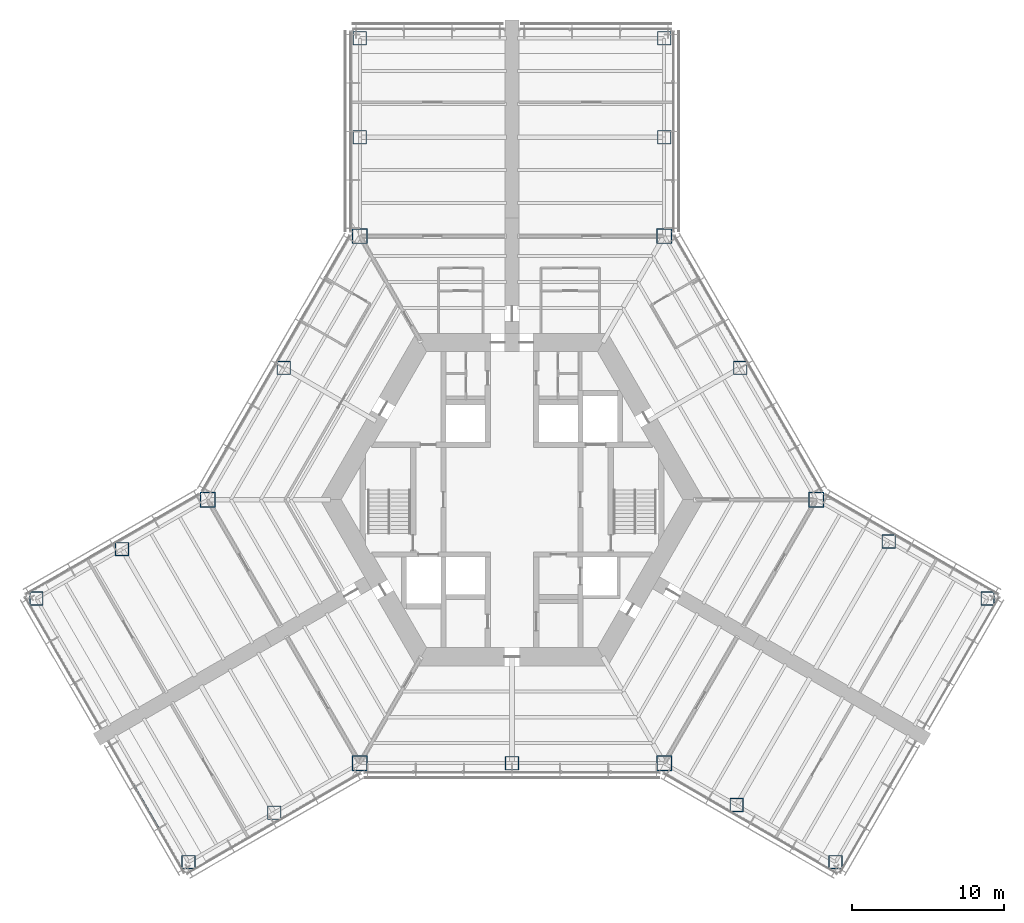
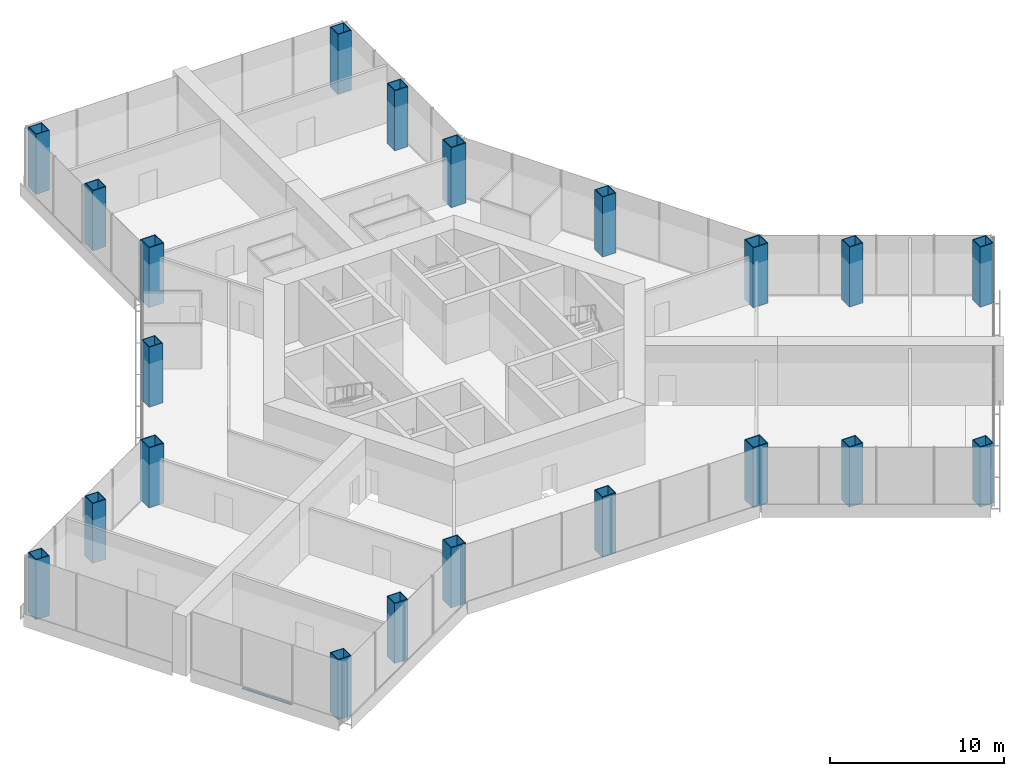
# One storey, part 1 of 16: 21 columns, 1 member, 1 element without a shape of its own.
"""IFC4 building model written with IfcOpenShell, lengths in metres."""

import ifcopenshell
import ifcopenshell.guid

model = None  # the IFC model being written
_history = None  # IfcOwnerHistory: only IFC2X3 demands one
_inside = {}  # id of a spatial element -> (the spatial element, [elements in it])
_under = {}  # id of a project, library or spatial element -> (it, [spatial elements below it])
_declared = {}  # id of a project -> (the project, [libraries it declares])
_typed = {}  # id of a type object -> (the type object, [elements of that type])
_made_of = {}  # id of a material, layer set ... -> (it, [elements and type objects made of it])


def new_model(schema):
    """Start an empty IFC model of exactly this schema.

    Asked for "IFC4X3", IfcOpenShell would pick the latest addendum, in which some entities
    have other attributes; the version numbers below select the first issue.
    IFC2X3 requires an IfcOwnerHistory on every rooted entity: one is made here for all.
    """
    global model, _history
    if schema == "IFC4X3":
        model = ifcopenshell.file(schema_version=(4, 3, 0, 0))
    else:
        model = ifcopenshell.file(schema=schema)
    _inside.clear()
    _under.clear()
    _declared.clear()
    _typed.clear()
    _made_of.clear()
    _history = None
    if model.schema == "IFC2X3":
        org = make("IfcOrganization", Name="unknown")
        user = make(
            "IfcPersonAndOrganization",
            ThePerson=make("IfcPerson", FamilyName="unknown"),
            TheOrganization=org,
        )
        app = make(
            "IfcApplication",
            ApplicationDeveloper=org,
            Version="unknown",
            ApplicationFullName="unknown",
            ApplicationIdentifier="unknown",
        )
        _history = make(
            "IfcOwnerHistory",
            OwningUser=user,
            OwningApplication=app,
            ChangeAction="ADDED",
            CreationDate=0,
        )
    return model


def make(cls, **values):
    """One entity of the class cls with the attributes given. An attribute that is None is left unset."""
    return model.create_entity(
        cls, **{name: value for name, value in values.items() if value is not None}
    )


def rooted(cls, **values):
    """An entity with a GlobalId (a new one), such as an element, a storey or a relation."""
    return make(cls, GlobalId=ifcopenshell.guid.new(), OwnerHistory=_history, **values)


def si_unit(unit_type, name, prefix=None):
    """IfcSIUnit, for example si_unit("LENGTHUNIT", "METRE", prefix="MILLI")."""
    return make("IfcSIUnit", UnitType=unit_type, Prefix=prefix, Name=name)


def assignment(units):
    """IfcUnitAssignment: the units of a project."""
    return None if units is None else make("IfcUnitAssignment", Units=units)


def point(xyz):
    """IfcCartesianPoint."""
    return None if xyz is None else make("IfcCartesianPoint", Coordinates=xyz)


def direction(xyz):
    """IfcDirection."""
    return None if xyz is None else make("IfcDirection", DirectionRatios=xyz)


def frame(location, z_axis=None, x_axis=None):
    """IfcAxis2Placement3D, a coordinate frame: its origin and axes. An axis left out is left unset."""
    return make(
        "IfcAxis2Placement3D",
        Location=point(location),
        Axis=direction(z_axis),
        RefDirection=direction(x_axis),
    )


def frame_2d(location, x_axis=None):
    """IfcAxis2Placement2D, a coordinate frame in the plane: its origin and x axis."""
    return make(
        "IfcAxis2Placement2D", Location=point(location), RefDirection=direction(x_axis)
    )


def origin():
    """The frame at (0, 0, 0) with its axes left unset."""
    return frame((0.0, 0.0, 0.0))


def origin_2d():
    """The frame at (0, 0) in the plane with its x axis left unset."""
    return frame_2d((0.0, 0.0))


def place(relative_to, where):
    """IfcLocalPlacement: puts the frame where relative to a parent placement (None: the world)."""
    return make(
        "IfcLocalPlacement", PlacementRelTo=relative_to, RelativePlacement=where
    )


def context(
    kind, dimensions, precision=None, world=None, true_north=None, identifier=None
):
    """IfcGeometricRepresentationContext, for example the 3D "Model" context."""
    return make(
        "IfcGeometricRepresentationContext",
        ContextIdentifier=identifier,
        ContextType=kind,
        CoordinateSpaceDimension=dimensions,
        Precision=precision,
        WorldCoordinateSystem=world,
        TrueNorth=true_north,
    )


def subcontext(parent, identifier, kind, view, scale=None):
    """IfcGeometricRepresentationSubContext, for example "Body" below "Model"."""
    return make(
        "IfcGeometricRepresentationSubContext",
        ContextIdentifier=identifier,
        ContextType=kind,
        ParentContext=parent,
        TargetScale=scale,
        TargetView=view,
    )


def project(units=None, contexts=None):
    """IfcProject with its units and contexts."""
    return rooted(
        "IfcProject",
        Name="project",
        RepresentationContexts=contexts,
        UnitsInContext=assignment(units),
    )


def spatial(cls, under=None, at=None, **own):
    """A site, building, storey or space (cls), placed at a placement, below another one or the project."""
    s = rooted(cls, ObjectPlacement=at, **own)
    if under is not None:
        _under.setdefault(under.id(), (under, []))[1].append(s)
    return s


def profile(cls, at=None, kind="AREA", **sizes):
    """A parametric profile (cls). Its sizes go by their IFC names, for example OverallWidth=200.0."""
    return make(cls, ProfileType=kind, Position=at, **sizes)


def rectangle(**sizes):
    """IfcRectangleProfileDef."""
    return profile("IfcRectangleProfileDef", **sizes)


def hollow_rectangle(**sizes):
    """IfcRectangleHollowProfileDef."""
    return profile("IfcRectangleHollowProfileDef", **sizes)


def extrude(swept, where, along, depth):
    """IfcExtrudedAreaSolid: the profile swept, set in the frame where, extruded along a direction by depth."""
    return make(
        "IfcExtrudedAreaSolid",
        SweptArea=swept,
        Position=where,
        ExtrudedDirection=direction(along),
        Depth=depth,
    )


def shape(context_of_items, identifier, shape_type, items):
    """IfcShapeRepresentation: the items that make up one representation, for example the "Body"."""
    return make(
        "IfcShapeRepresentation",
        ContextOfItems=context_of_items,
        RepresentationIdentifier=identifier,
        RepresentationType=shape_type,
        Items=items,
    )


def material(Name=None, Category=None):
    """IfcMaterial."""
    return make("IfcMaterial", Name=Name, Category=Category)


def material_profile(
    of_material, cross_section, Name=None, Category=None, Priority=None
):
    """IfcMaterialProfile: a cross section and its material."""
    return make(
        "IfcMaterialProfile",
        Name=Name,
        Material=of_material,
        Profile=cross_section,
        Priority=Priority,
        Category=Category,
    )


def profile_set(profiles, Name=None, composite=None):
    """IfcMaterialProfileSet."""
    return make(
        "IfcMaterialProfileSet",
        Name=Name,
        MaterialProfiles=profiles,
        CompositeProfile=composite,
    )


def made_of(thing, what):
    """Note that an element or type object is made of a material, layer set ...; save() writes the relation."""
    if what is not None:
        _made_of.setdefault(what.id(), (what, []))[1].append(thing)
    return thing


def type_object(cls, material=None, **own):
    """A type object (cls), such as IfcWallType, which elements share."""
    return made_of(rooted(cls, **own), material)


def element(
    cls,
    number,
    at=None,
    inside=None,
    cuts=None,
    type_object=None,
    material=None,
    context=None,
    identifier="Body",
    shape_type=None,
    held_by="IfcProductDefinitionShape",
    body=None,
    shapes=None,
    **own,
):
    """One element of the class cls, such as IfcWall. Its Tag is "e" and its number.

    at: its placement. inside: the storey or other place that contains it. cuts: it is an
    opening in that element (IfcRelVoidsElement). A single representation is given by context,
    identifier, shape_type and body (its items); several are given by shapes. held_by: the class
    of the entity that holds the representations. save() writes the other relations.
    """
    e = rooted(cls, Tag="e%d" % number, ObjectPlacement=at, **own)
    if body is not None:
        shapes = [shape(context, identifier, shape_type, body)]
    if shapes is not None:
        e.Representation = make(held_by, Representations=shapes)
    if inside is not None:
        _inside.setdefault(inside.id(), (inside, []))[1].append(e)
    if cuts is not None:
        rooted(
            "IfcRelVoidsElement", RelatingBuildingElement=cuts, RelatedOpeningElement=e
        )
    if type_object is not None:
        _typed.setdefault(type_object.id(), (type_object, []))[1].append(e)
    return made_of(e, material)


def aggregate(whole, parts):
    """IfcRelAggregates: a whole, such as a stair, and the parts it consists of."""
    return rooted("IfcRelAggregates", RelatingObject=whole, RelatedObjects=parts)


def save(model, path):
    """Write the relations noted so far, then the file.

    IfcRelAggregates (storeys below a building ...), IfcRelContainedInSpatialStructure (elements
    in a storey), IfcRelDefinesByType, IfcRelAssociatesMaterial and IfcRelDeclares: one each for
    every whole, place, type object, material and project.
    """
    for whole, parts in _under.values():
        aggregate(whole, parts)
    for where, things in _inside.values():
        rooted(
            "IfcRelContainedInSpatialStructure",
            RelatedElements=things,
            RelatingStructure=where,
        )
    for kind, things in _typed.values():
        rooted("IfcRelDefinesByType", RelatedObjects=things, RelatingType=kind)
    for what, things in _made_of.values():
        rooted("IfcRelAssociatesMaterial", RelatedObjects=things, RelatingMaterial=what)
    for by, libraries in _declared.values():
        rooted("IfcRelDeclares", RelatingContext=by, RelatedDefinitions=libraries)
    model.write(path)


model = new_model("IFC4")

# Units and contexts
model_context = context("Model", 3, precision=1e-05, world=origin(), true_north=direction((0.0, 1.0)))
body_context = subcontext(model_context, "Body", "Model", "MODEL_VIEW")
ifc_project = project(units=[si_unit("LENGTHUNIT", "METRE"), si_unit("AREAUNIT", "SQUARE_METRE"), si_unit("VOLUMEUNIT", "CUBIC_METRE"), si_unit("PLANEANGLEUNIT", "RADIAN"), si_unit("MASSUNIT", "GRAM", prefix="KILO")], contexts=[model_context])

# Site, building, storey
site_placement = place(None, origin())
site = spatial("IfcSite", under=ifc_project, at=site_placement, CompositionType="ELEMENT")
building_placement = place(site_placement, origin())
building = spatial("IfcBuilding", under=site, at=building_placement, Name="Kasaneha Research Tower", CompositionType="ELEMENT")
storey_placement = place(building_placement, frame((0.0, 0.0, 18.39990234375)))
storey = spatial("IfcBuildingStorey", under=building, at=storey_placement, Name="L05", CompositionType="ELEMENT", Elevation=18.39990234375)

# Columns
ifc_material_1 = material(Name="Steel SN490C", Category="steel")
ifc_material_profile_1 = material_profile(ifc_material_1, hollow_rectangle(XDim=1.0, YDim=1.0, WallThickness=0.06005859375, at=origin_2d()), Name="BOX-1000x1000x60")
ifc_profile_set_1 = profile_set([ifc_material_profile_1], Name="Steel SN490C")
column_type_1 = type_object("IfcColumnType", Name="C1A column BOX-1000x1000x60", PredefinedType="COLUMN", material=ifc_profile_set_1)
for number, where, z_axis, x_axis, name in (
    (1, (20.0, 0.0, 0.0), (0.0, 0.0, 1.0), (1.0, 0.0, 0.0), "Column V0 L05"),
    (2, (10.0, 17.320556640625, 0.0), (0.0, 0.0, 1.0), (1.0, 0.0, 0.0), "Column V1 L05"),
    (3, (-10.0, 17.320556640625, 0.0), (0.0, 0.0, 1.0), (1.0, 0.0, 0.0), "Column V2 L05"),
    (4, (-20.0, 0.0, 0.0), (0.0, 0.0, 1.0), (1.0, 0.0, 0.0), "Column V3 L05"),
    (5, (-10.0, -17.320556640625, 0.0), (0.0, 0.0, 1.0), (1.0, 0.0, 0.0), "Column V4 L05"),
    (6, (10.0, -17.320556640625, 0.0), (0.0, 0.0, 1.0), (1.0, 0.0, 0.0), "Column V5 L05"),
):
    element("IfcColumn", number, at=place(storey_placement, frame(where, z_axis=z_axis, x_axis=x_axis)), inside=storey, type_object=column_type_1, Name=name, PredefinedType="COLUMN", context=body_context, shape_type="SweptSolid", body=[
        extrude(hollow_rectangle(XDim=1.0, YDim=1.0, WallThickness=0.06005859375, at=origin_2d()), origin(), (0.0, 0.0, 1.0), 4.2001953125),
    ])
ifc_material_2 = material(Name="Steel SN490C", Category="steel")
ifc_material_profile_2 = material_profile(ifc_material_2, hollow_rectangle(XDim=0.89990234375, YDim=0.89990234375, WallThickness=0.050048828125, at=origin_2d()), Name="BOX-900x900x50")
ifc_profile_set_2 = profile_set([ifc_material_profile_2], Name="Steel SN490C")
column_type_2 = type_object("IfcColumnType", Name="C1B column BOX-900x900x50", PredefinedType="COLUMN", material=ifc_profile_set_2)
for number, where, z_axis, x_axis, name in (
    (7, (15.0, 8.66015625, 0.0), (0.0, 0.0, 1.0), (1.0, 0.0, 0.0), "Column M030 L05"),
    (8, (-15.0, 8.66015625, 0.0), (0.0, 0.0, 1.0), (1.0, 0.0, 0.0), "Column M150 L05"),
    (9, (0.0, -17.320556640625, 0.0), (0.0, 0.0, 1.0), (1.0, 0.0, 0.0), "Column M270 L05"),
    (10, (10.0, 23.820556640625, 0.0), (0.0, 0.0, 1.0), (1.0, 0.0, 0.0), "Column ASP L05"),
    (11, (10.0, 30.320556640625, 0.0), (0.0, 0.0, 1.0), (1.0, 0.0, 0.0), "Column ATP L05"),
    (12, (-10.0, 23.820556640625, 0.0), (0.0, 0.0, 1.0), (1.0, 0.0, 0.0), "Column ASN L05"),
    (13, (-10.0, 30.320556640625, 0.0), (0.0, 0.0, 1.0), (1.0, 0.0, 0.0), "Column ATN L05"),
    (14, (-25.629150390625, -3.25, 0.0), (0.0, 0.0, 1.0), (1.0, 0.0, 0.0), "Column BSP L05"),
    (15, (-31.25830078125, -6.5, 0.0), (0.0, 0.0, 1.0), (1.0, 0.0, 0.0), "Column BTP L05"),
    (16, (-15.629150390625, -20.570556640625, 0.0), (0.0, 0.0, 1.0), (1.0, 0.0, 0.0), "Column BSN L05"),
    (17, (-21.25830078125, -23.820556640625, 0.0), (0.0, 0.0, 1.0), (1.0, 0.0, 0.0), "Column BTN L05"),
    (18, (14.76318359375, -20.070556640625, 0.0), (0.0, 0.0, 1.0), (1.0, 0.0, 0.0), "Column CSP L05"),
    (19, (21.25830078125, -23.820556640625, 0.0), (0.0, 0.0, 1.0), (1.0, 0.0, 0.0), "Column CTP L05"),
    (20, (24.76318359375, -2.75, 0.0), (0.0, 0.0, 1.0), (1.0, 0.0, 0.0), "Column CSN L05"),
    (21, (31.25830078125, -6.5, 0.0), (0.0, 0.0, 1.0), (1.0, 0.0, 0.0), "Column CTN L05"),
):
    element("IfcColumn", number, at=place(storey_placement, frame(where, z_axis=z_axis, x_axis=x_axis)), inside=storey, type_object=column_type_2, Name=name, PredefinedType="COLUMN", context=body_context, shape_type="SweptSolid", body=[
        extrude(hollow_rectangle(XDim=0.89990234375, YDim=0.89990234375, WallThickness=0.050048828125, at=origin_2d()), origin(), (0.0, 0.0, 1.0), 4.2001953125),
    ])

# Curtain wall, member
ifc_material_3 = material(Name="Glass and aluminium", Category="aluminium")
curtain_wall_type = type_object("IfcCurtainWallType", Name="Wet laboratory curtain wall", PredefinedType="USERDEFINED", material=ifc_material_3)
curtain_wall_placement = place(storey_placement, origin())
curtain_wall = element("IfcCurtainWall", 22, at=curtain_wall_placement, inside=storey, type_object=curtain_wall_type, Name="CW-L1 L05 run 15a", ObjectType="UNITISED CURTAIN WALL", PredefinedType="USERDEFINED")
ifc_material_4 = material(Name="Aluminium 6063-T6", Category="aluminium")
ifc_material_profile_3 = material_profile(ifc_material_4, rectangle(XDim=0.139892578125, YDim=0.06494140625, at=origin_2d()), Name="CW-L1 transom 140x65")
ifc_profile_set_3 = profile_set([ifc_material_profile_3], Name="Aluminium 6063-T6")
member_type = type_object("IfcMemberType", Name="CW-L1 transom", PredefinedType="USERDEFINED", material=ifc_profile_set_3)
member_placement = place(storey_placement, frame((-24.86181640625, -18.779296875, 0.03271484375), z_axis=(0.50000765355, -0.86602098496, 0.0), x_axis=(0.86602098496, 0.50000765355, 0.0)))
member = element("IfcMember", 23, at=member_placement, type_object=member_type, Name="CW-L1 transom 2", ObjectType="TRANSOM", PredefinedType="USERDEFINED", context=body_context, shape_type="SweptSolid", body=[
    extrude(rectangle(XDim=0.139892578125, YDim=0.06494140625, at=origin_2d()), origin(), (0.0, 0.0, 1.0), 3.28515625),
])
aggregate(curtain_wall, [member])

save(model, "model.ifc")
